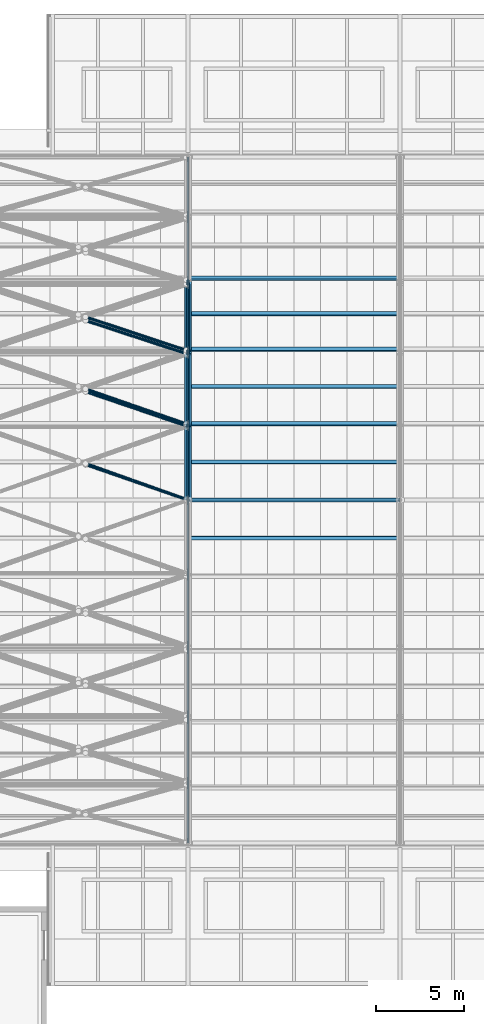
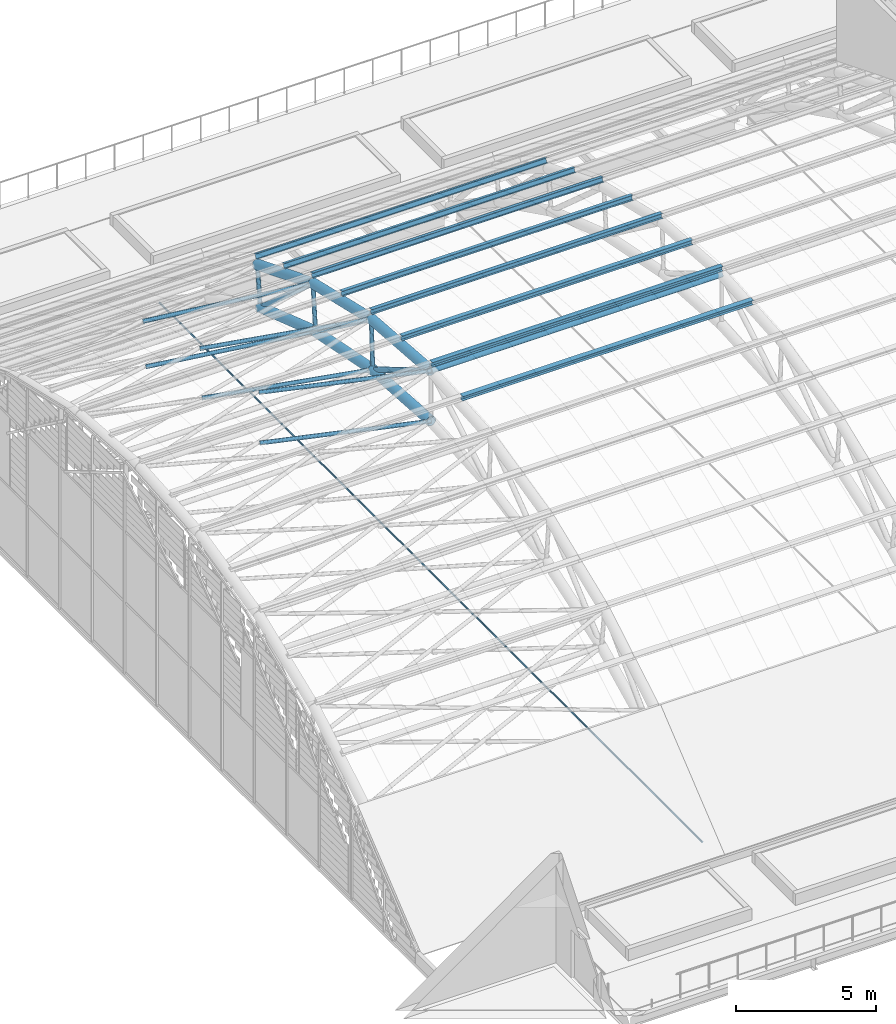
# One storey, part 14 of 110: 28 members.
"""IFC4 building model written with IfcOpenShell, lengths in metres."""

from ifc_helpers import new_model, si_unit, direction, frame, origin, origin_2d, place, context, subcontext, project, spatial, circle, hollow_circle, i_section, extrude, material, material_profile, profile_set, type_object, element, save


model = new_model("IFC4")

# Units and contexts
model_context = context("Model", 3, precision=1e-05, world=origin(), true_north=direction((0.0, 1.0)))
body_context = subcontext(model_context, "Body", "Model", "MODEL_VIEW")
ifc_project = project(units=[si_unit("LENGTHUNIT", "METRE"), si_unit("AREAUNIT", "SQUARE_METRE"), si_unit("VOLUMEUNIT", "CUBIC_METRE"), si_unit("PLANEANGLEUNIT", "RADIAN"), si_unit("MASSUNIT", "GRAM", prefix="KILO")], contexts=[model_context])

# Site, building, storey
site_placement = place(None, origin())
site = spatial("IfcSite", under=ifc_project, at=site_placement, CompositionType="ELEMENT")
building_placement = place(site_placement, origin())
building = spatial("IfcBuilding", under=site, at=building_placement, Name="Windward Yard Aquatics Centre", CompositionType="ELEMENT")
storey_placement = place(building_placement, frame((0.0, 0.0, 22.60009765625)))
storey = spatial("IfcBuildingStorey", under=building, at=storey_placement, Name="L05", CompositionType="ELEMENT", Elevation=22.60009765625)

# Members
ifc_material_1 = material(Name="Steel ASTM A500 Gr C", Category="steel")
ifc_material_profile_1 = material_profile(ifc_material_1, hollow_circle(Radius=0.084228515625, WallThickness=0.010986328125, at=origin_2d()), Name="HSS168.3X11")
ifc_profile_set_1 = profile_set([ifc_material_profile_1], Name="Steel ASTM A500 Gr C")
member_type_1 = type_object("IfcMemberType", Name="H arch post HSS168.3X11", PredefinedType="POST", material=ifc_profile_set_1)
member_1_placement = place(storey_placement, frame((72.0, 65.16064453125, 6.323486328125), z_axis=(0.0, 0.050215263417, 0.998738417865), x_axis=(-1.0, 0.0, 0.0)))
element("IfcMember", 1, at=member_1_placement, inside=storey, type_object=member_type_1, Name="H.AT.2.WP07", PredefinedType="POST", context=body_context, shape_type="SweptSolid", body=[
    extrude(hollow_circle(Radius=0.084228515625, WallThickness=0.010986328125, at=origin_2d()), origin(), (0.0, 0.0, 1.0), 2.14892578125),
])
member_2_placement = place(storey_placement, frame((72.0, 69.249755859375, 5.5087890625), z_axis=(0.0, 0.094018625473, 0.995570438525), x_axis=(-1.0, 0.0, 0.0)))
element("IfcMember", 2, at=member_2_placement, inside=storey, type_object=member_type_1, Name="H.AT.2.WP08", PredefinedType="POST", context=body_context, shape_type="SweptSolid", body=[
    extrude(hollow_circle(Radius=0.084228515625, WallThickness=0.010986328125, at=origin_2d()), origin(), (0.0, 0.0, 1.0), 1.996826171875),
])
member_3_placement = place(storey_placement, frame((72.0, 73.197265625, 4.16650390625), z_axis=(0.0, 0.121591772527, 0.992580193664), x_axis=(-1.0, 0.0, 0.0)))
element("IfcMember", 3, at=member_3_placement, inside=storey, type_object=member_type_1, Name="H.AT.2.WP09", PredefinedType="POST", context=body_context, shape_type="SweptSolid", body=[
    extrude(hollow_circle(Radius=0.084228515625, WallThickness=0.010986328125, at=origin_2d()), origin(), (0.0, 0.0, 1.0), 1.746826171875),
])
ifc_material_profile_2 = material_profile(ifc_material_1, hollow_circle(Radius=0.203125, WallThickness=0.015869140625, at=origin_2d()), Name="HSS406.4X15.9")
ifc_profile_set_2 = profile_set([ifc_material_profile_2], Name="Steel ASTM A500 Gr C")
member_type_2 = type_object("IfcMemberType", Name="H arch top chord HSS406.4X15.9", PredefinedType="CHORD", material=ifc_profile_set_2)
member_4_placement = place(storey_placement, frame((72.0, 61.0, 8.796630859375), z_axis=(0.0, 0.997080259355, -0.076360699341), x_axis=(-1.0, 0.0, 0.0)))
element("IfcMember", 4, at=member_4_placement, inside=storey, type_object=member_type_2, Name="H.AT.2.TC06", PredefinedType="CHORD", context=body_context, shape_type="SweptSolid", body=[
    extrude(hollow_circle(Radius=0.203125, WallThickness=0.015869140625, at=origin_2d()), origin(), (0.0, 0.0, 1.0), 4.281005859375),
])
member_5_placement = place(storey_placement, frame((72.0, 61.0, 6.5966796875), z_axis=(0.0, 0.997851241995, -0.065520217098), x_axis=(-1.0, 0.0, 0.0)))
element("IfcMember", 5, at=member_5_placement, inside=storey, type_object=member_type_2, Name="H.AT.2.BC06", PredefinedType="CHORD", context=body_context, shape_type="SweptSolid", body=[
    extrude(hollow_circle(Radius=0.203125, WallThickness=0.015869140625, at=origin_2d()), origin(), (0.0, 0.0, 1.0), 4.169677734375),
])
member_6_placement = place(storey_placement, frame((72.0, 65.2685546875, 8.4697265625), z_axis=(0.0, 0.973833637334, -0.227262066337), x_axis=(-1.0, 0.0, 0.0)))
element("IfcMember", 6, at=member_6_placement, inside=storey, type_object=member_type_2, Name="H.AT.2.TC07", PredefinedType="CHORD", context=body_context, shape_type="SweptSolid", body=[
    extrude(hollow_circle(Radius=0.203125, WallThickness=0.015869140625, at=origin_2d()), origin(), (0.0, 0.0, 1.0), 4.281005859375),
])
member_7_placement = place(storey_placement, frame((72.0, 65.16064453125, 6.323486328125), z_axis=(0.0, 0.980724544319, -0.195395414914), x_axis=(-1.0, 0.0, 0.0)))
element("IfcMember", 7, at=member_7_placement, inside=storey, type_object=member_type_2, Name="H.AT.2.BC07", PredefinedType="CHORD", context=body_context, shape_type="SweptSolid", body=[
    extrude(hollow_circle(Radius=0.203125, WallThickness=0.015869140625, at=origin_2d()), origin(), (0.0, 0.0, 1.0), 4.16943359375),
])
member_8_placement = place(storey_placement, frame((72.0, 69.4375, 7.496826171875), z_axis=(0.0, 0.92786581708, -0.372914233429), x_axis=(-1.0, 0.0, 0.0)))
element("IfcMember", 8, at=member_8_placement, inside=storey, type_object=member_type_2, Name="H.AT.2.TC08", PredefinedType="CHORD", context=body_context, shape_type="SweptSolid", body=[
    extrude(hollow_circle(Radius=0.203125, WallThickness=0.015869140625, at=origin_2d()), origin(), (0.0, 0.0, 1.0), 4.281005859375),
])
member_9_placement = place(storey_placement, frame((72.0, 69.249755859375, 5.5087890625), z_axis=(0.0, 0.946763107829, -0.321931075938), x_axis=(-1.0, 0.0, 0.0)))
element("IfcMember", 9, at=member_9_placement, inside=storey, type_object=member_type_2, Name="H.AT.2.BC08", PredefinedType="CHORD", context=body_context, shape_type="SweptSolid", body=[
    extrude(hollow_circle(Radius=0.203125, WallThickness=0.015869140625, at=origin_2d()), origin(), (0.0, 0.0, 1.0), 4.16943359375),
])
ifc_material_profile_3 = material_profile(ifc_material_1, hollow_circle(Radius=0.109619140625, WallThickness=0.00830078125, at=origin_2d()), Name="HSS219.1X8.2")
ifc_profile_set_3 = profile_set([ifc_material_profile_3], Name="Steel ASTM A500 Gr C")
member_type_3 = type_object("IfcMemberType", Name="H arch web diagonal HSS219.1X8.2", PredefinedType="BRACE", material=ifc_profile_set_3)
member_10_placement = place(storey_placement, frame((72.0, 61.0, 8.796630859375), z_axis=(0.0, 0.859604150376, -0.51096057055), x_axis=(-1.0, 0.0, 0.0)))
element("IfcMember", 10, at=member_10_placement, inside=storey, type_object=member_type_3, Name="H.AT.2.WD06", PredefinedType="BRACE", context=body_context, shape_type="SweptSolid", body=[
    extrude(hollow_circle(Radius=0.109619140625, WallThickness=0.00830078125, at=origin_2d()), origin(), (0.0, 0.0, 1.0), 4.840087890625),
])
member_11_placement = place(storey_placement, frame((72.0, 65.2685546875, 8.4697265625), z_axis=(0.0, 0.802408568981, -0.596775073563), x_axis=(-1.0, 0.0, 0.0)))
element("IfcMember", 11, at=member_11_placement, inside=storey, type_object=member_type_3, Name="H.AT.2.WD07", PredefinedType="BRACE", context=body_context, shape_type="SweptSolid", body=[
    extrude(hollow_circle(Radius=0.109619140625, WallThickness=0.00830078125, at=origin_2d()), origin(), (0.0, 0.0, 1.0), 4.961669921875),
])
member_12_placement = place(storey_placement, frame((72.0, 69.4375, 7.496826171875), z_axis=(0.0, 0.748564053538, -0.663062484047), x_axis=(-1.0, 0.0, 0.0)))
element("IfcMember", 12, at=member_12_placement, inside=storey, type_object=member_type_3, Name="H.AT.2.WD08", PredefinedType="BRACE", context=body_context, shape_type="SweptSolid", body=[
    extrude(hollow_circle(Radius=0.109619140625, WallThickness=0.00830078125, at=origin_2d()), origin(), (0.0, 0.0, 1.0), 5.022705078125),
])
ifc_material_profile_4 = material_profile(ifc_material_1, hollow_circle(Radius=0.084228515625, WallThickness=0.007080078125, at=origin_2d()), Name="HSS168.3X7.1")
ifc_profile_set_4 = profile_set([ifc_material_profile_4], Name="Steel ASTM A500 Gr C")
member_type_4 = type_object("IfcMemberType", Name="H roof brace HSS168.3X7.1", PredefinedType="BRACE", material=ifc_profile_set_4)
for number, where, z_axis, x_axis, name in (
    (13, (66.1064453125, 63.096435546875, 8.63623046875), (0.941857174882, -0.33503428172, 0.025633809606), (0.335144410202, 0.942166770965, 0.0), "H.RB.1.T06B2"),
    (14, (66.1064453125, 67.31591796875, 7.991943359375), (0.941866761957, -0.327195305127, 0.07635597569), (0.328153308973, 0.944624478727, 0.0), "H.RB.1.T07B2"),
    (15, (66.1064453125, 71.388427734375, 6.712890625), (0.941858333374, -0.311780859237, 0.125281984609), (0.314256834084, 0.9493380021, 0.0), "H.RB.1.T08B2"),
):
    element("IfcMember", number, at=place(storey_placement, frame(where, z_axis=z_axis, x_axis=x_axis)), inside=storey, type_object=member_type_4, Name=name, PredefinedType="BRACE", context=body_context, shape_type="SweptSolid", body=[
        extrude(hollow_circle(Radius=0.084228515625, WallThickness=0.007080078125, at=origin_2d()), origin(), (0.0, 0.0, 1.0), 6.25732421875),
    ])
for number, where, z_axis, x_axis, name in (
    (16, (66.109375, 63.04248046875, 6.462646484375), (0.944598229058, -0.327524402532, 0.021493054864), (0.327600078932, 0.944816483918, 0.0), "H.RB.1.B06B2"),
    (17, (66.109375, 67.16796875, 5.923583984375), (0.944603317276, -0.321888613836, 0.064127164858), (0.322552512339, 0.946551571117, 0.0), "H.RB.1.B07B2"),
    (18, (66.109375, 71.1875, 4.849853515625), (0.944606037687, -0.310731851837, 0.105665272535), (0.312481198168, 0.94992394474, 0.0), "H.RB.1.B08B2"),
):
    element("IfcMember", number, at=place(storey_placement, frame(where, z_axis=z_axis, x_axis=x_axis)), inside=storey, type_object=member_type_4, Name=name, PredefinedType="BRACE", context=body_context, shape_type="SweptSolid", body=[
        extrude(hollow_circle(Radius=0.084228515625, WallThickness=0.007080078125, at=origin_2d()), origin(), (0.0, 0.0, 1.0), 6.236083984375),
    ])
ifc_material_2 = material(Name="Steel ASTM A992 Gr 50", Category="steel")
ifc_material_profile_5 = material_profile(ifc_material_2, i_section(OverallWidth=0.202880859375, OverallDepth=0.202880859375, WebThickness=0.00732421875, FlangeThickness=0.010986328125, at=origin_2d()), Name="W200X46.1")
ifc_profile_set_5 = profile_set([ifc_material_profile_5], Name="Steel ASTM A992 Gr 50")
member_type_5 = type_object("IfcMemberType", Name="H roof purlin W200X46.1", PredefinedType="PURLIN", material=ifc_profile_set_5)
for number, where, z_axis, x_axis, name in (
    (19, (72.0, 58.842529296875, 8.93701171875), (1.0, 0.0, 0.0), (0.0, 0.997080793073, 0.076353729998), "H.PU.2.10"),
    (20, (72.0, 61.0, 9.101318359375), (1.0, 0.0, 0.0), (0.0, 1.0, 0.0), "H.PU.2.11"),
    (21, (72.0, 63.157470703125, 8.93701171875), (1.0, 0.0, 0.0), (0.0, 0.997080793073, -0.076353729998), "H.PU.2.12"),
    (22, (72.0, 65.31494140625, 8.77099609375), (1.0, 0.0, 0.0), (0.0, 0.988340215831, -0.152261675321), "H.PU.2.13"),
    (23, (72.0, 67.422119140625, 8.280029296875), (1.0, 0.0, 0.0), (0.0, 0.973829299376, -0.227280653986), "H.PU.2.14"),
    (24, (72.0, 69.529052734375, 7.787353515625), (1.0, 0.0, 0.0), (0.0, 0.953632764452, -0.300972674115), "H.PU.2.15"),
    (25, (72.0, 71.537109375, 6.9814453125), (1.0, 0.0, 0.0), (0.0, 0.927868526784, -0.372907491214), "H.PU.2.16"),
    (26, (72.0, 73.54443359375, 6.173583984375), (1.0, 0.0, 0.0), (0.0, 0.896687008655, -0.44266512005), "H.PU.2.17"),
):
    element("IfcMember", number, at=place(storey_placement, frame(where, z_axis=z_axis, x_axis=x_axis)), inside=storey, type_object=member_type_5, Name=name, PredefinedType="PURLIN", context=body_context, shape_type="SweptSolid", body=[
        extrude(i_section(OverallWidth=0.202880859375, OverallDepth=0.202880859375, WebThickness=0.00732421875, FlangeThickness=0.010986328125, at=origin_2d()), origin(), (0.0, 0.0, 1.0), 12.0),
    ])
ifc_material_profile_6 = material_profile(ifc_material_1, hollow_circle(Radius=0.109619140625, WallThickness=0.00830078125, at=origin_2d()), Name="HSS219.1X8.2")
ifc_profile_set_6 = profile_set([ifc_material_profile_6], Name="Steel ASTM A500 Gr C")
member_type_6 = type_object("IfcMemberType", Name="H roof strut HSS219.1X8.2", PredefinedType="STRUT", material=ifc_profile_set_6)
member_13_placement = place(storey_placement, frame((72.0, 61.0, 8.796630859375), z_axis=(1.0, 0.0, 0.0), x_axis=(0.0, 1.0, 0.0)))
element("IfcMember", 27, at=member_13_placement, inside=storey, type_object=member_type_6, Name="H.RS.2.T06", PredefinedType="STRUT", context=body_context, shape_type="SweptSolid", body=[
    extrude(hollow_circle(Radius=0.109619140625, WallThickness=0.00830078125, at=origin_2d()), origin(), (0.0, 0.0, 1.0), 12.0),
])
ifc_material_3 = material(Name="Steel ASTM A36", Category="steel")
ifc_material_profile_7 = material_profile(ifc_material_3, circle(Radius=0.0380859375, at=origin_2d()), Name="ROD76")
ifc_profile_set_7 = profile_set([ifc_material_profile_7], Name="Steel ASTM A36")
member_type_7 = type_object("IfcMemberType", Name="H tie rod ROD76", PredefinedType="STRUT", material=ifc_profile_set_7)
member_14_placement = place(storey_placement, frame((72.0, 41.60009765625, 0.0), z_axis=(0.0, 1.0, 0.0), x_axis=(-1.0, 0.0, 0.0)))
element("IfcMember", 28, at=member_14_placement, inside=storey, type_object=member_type_7, Name="H.AT.2.TR", PredefinedType="STRUT", context=body_context, shape_type="SweptSolid", body=[
    extrude(circle(Radius=0.0380859375, at=origin_2d()), origin(), (0.0, 0.0, 1.0), 38.7998046875),
])

save(model, "model.ifc")
